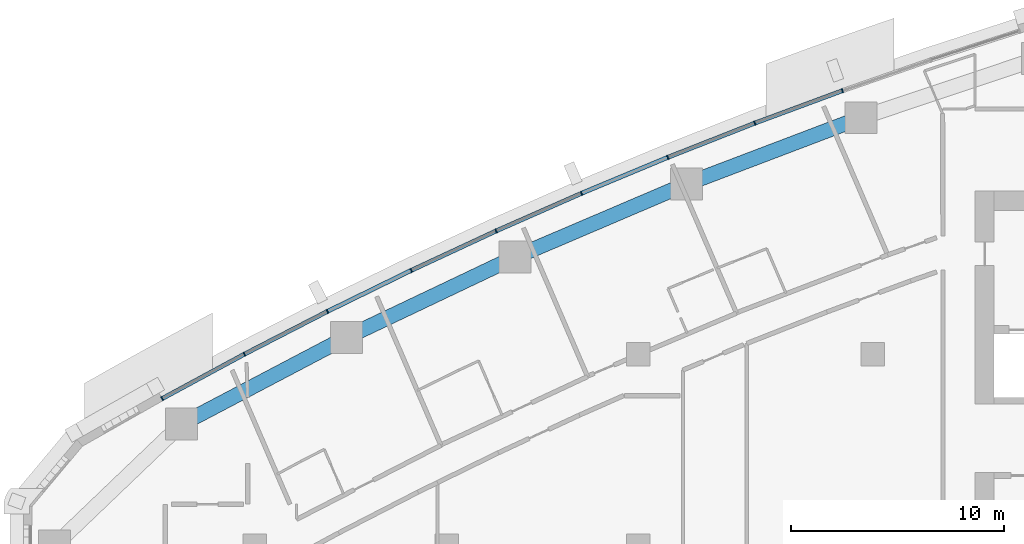
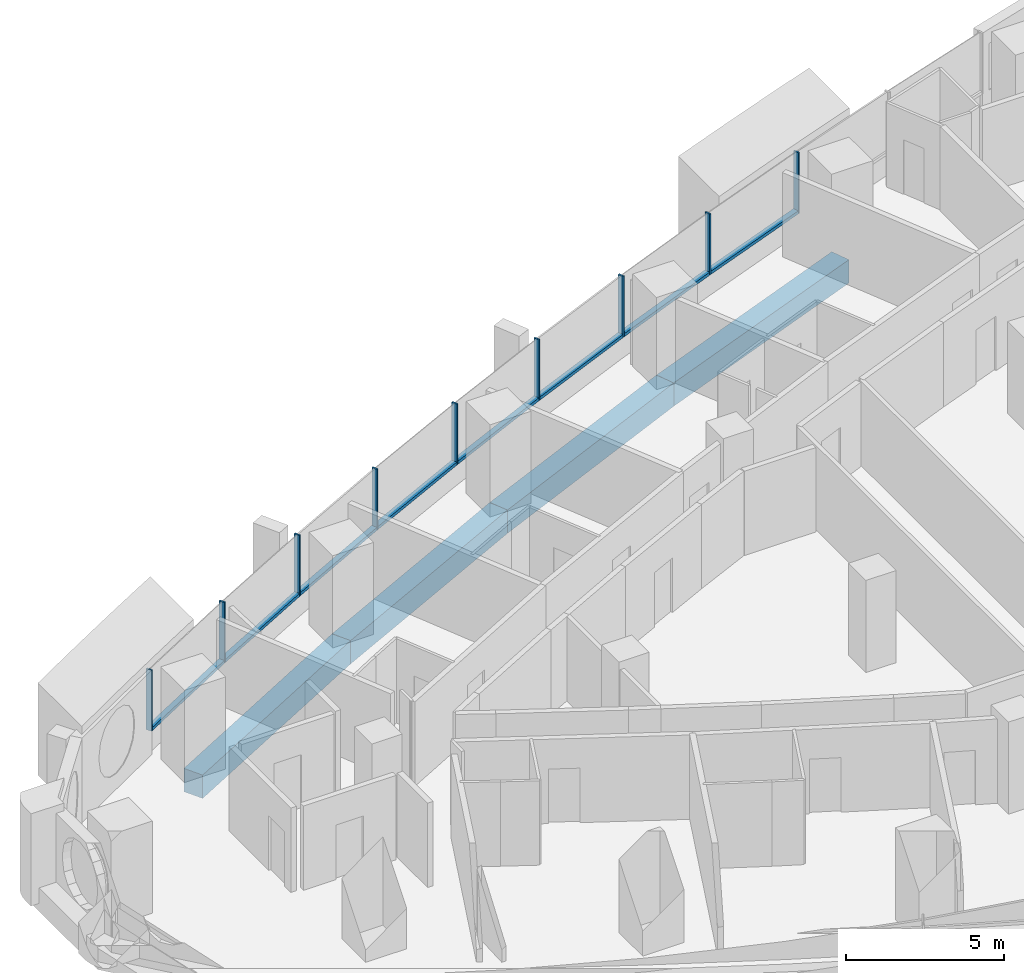
# One storey, part 5 of 17: 17 members, 4 beams, 5 elements without a shape of their own.
"""IFC4 building model written with IfcOpenShell, lengths in metres."""

from ifc_helpers import new_model, si_unit, direction, frame, origin, origin_2d, place, context, subcontext, project, spatial, rectangle, extrude, material, layer, layer_set, material_profile, profile_set, type_object, element, aggregate, save


model = new_model("IFC4")

# Units and contexts
model_context = context("Model", 3, precision=1e-05, world=origin(), true_north=direction((0.0, 1.0)))
body_context = subcontext(model_context, "Body", "Model", "MODEL_VIEW")
ifc_project = project(units=[si_unit("LENGTHUNIT", "METRE"), si_unit("AREAUNIT", "SQUARE_METRE"), si_unit("VOLUMEUNIT", "CUBIC_METRE"), si_unit("PLANEANGLEUNIT", "RADIAN"), si_unit("MASSUNIT", "GRAM", prefix="KILO")], contexts=[model_context])

# Site, building, storey
site_placement = place(None, origin())
site = spatial("IfcSite", under=ifc_project, at=site_placement, CompositionType="ELEMENT")
building_placement = place(site_placement, origin())
building = spatial("IfcBuilding", under=site, at=building_placement, Name="Ostrand Prow Hotel Tower", CompositionType="ELEMENT")
storey_placement = place(building_placement, frame((0.0, 0.0, 158.60009765625)))
storey = spatial("IfcBuildingStorey", under=building, at=storey_placement, Name="L39", CompositionType="ELEMENT", Elevation=158.60009765625)

# Beams
ifc_material_1 = material(Name="Concrete C70/85", Category="concrete")
ifc_material_profile_1 = material_profile(ifc_material_1, rectangle(XDim=0.699951171875, YDim=0.89990234375, at=origin_2d()), Name="RC 700x900")
ifc_profile_set_1 = profile_set([ifc_material_profile_1], Name="Concrete C70/85")
beam_type = type_object("IfcBeamType", Name="Edge beam 700x900 C70/85", PredefinedType="SPANDREL", material=ifc_profile_set_1)
for number, where, z_axis, x_axis, name in (
    (1, (44.438232421875, 20.093017578125, -0.75), (-0.93479358236, -0.355191439055, 0.0), (0.355191439055, -0.93479358236, 0.0), "Edge beam N2-N3"),
    (2, (36.255615234375, 16.98388671875, -0.75), (-0.919700966994, -0.392619575811, 0.0), (0.392619575811, -0.919700966994, 0.0), "Edge beam N3-N4"),
    (3, (28.205078125, 13.547119140625, -0.75), (-0.903083113352, -0.429465819803, 0.0), (0.429465819803, -0.903083113352, 0.0), "Edge beam N4-N5"),
    (4, (20.300048828125, 9.787841796875, -0.75), (-0.885016215308, -0.465560198731, 0.0), (0.465560198731, -0.885016215308, 0.0), "Edge beam N5-N6"),
):
    element("IfcBeam", number, at=place(storey_placement, frame(where, z_axis=z_axis, x_axis=x_axis)), inside=storey, type_object=beam_type, Name=name, PredefinedType="SPANDREL", context=body_context, shape_type="SweptSolid", body=[
        extrude(rectangle(XDim=0.699951171875, YDim=0.89990234375, at=origin_2d()), origin(), (0.0, 0.0, 1.0), 8.75341796875),
    ])

# Curtain wall, member
ifc_material_2 = material(Name="Insulated glass in bronze anodised frame", Category="glass")
ifc_layer = layer(ifc_material_2, 0.199951171875)
ifc_layer_set = layer_set([ifc_layer], Name="Insulated glass in bronze anodised frame")
curtain_wall_type = type_object("IfcCurtainWallType", Name="Strip curtain wall, fritted glass over bronze spandrel", PredefinedType="NOTDEFINED", material=ifc_layer_set)
curtain_wall_1_placement = place(storey_placement, origin())
curtain_wall_1 = element("IfcCurtainWall", 5, at=curtain_wall_1_placement, inside=storey, type_object=curtain_wall_type, Name="CW1 run CWN1", PredefinedType="NOTDEFINED")
ifc_material_3 = material(Name="Bronze anodised aluminium", Category="aluminium")
ifc_material_profile_2 = material_profile(ifc_material_3, rectangle(XDim=0.199951171875, YDim=0.06005859375, at=origin_2d()), Name="Mullion 60x200 bronze anodised aluminium")
ifc_profile_set_2 = profile_set([ifc_material_profile_2], Name="Bronze anodised aluminium")
member_type_1 = type_object("IfcMemberType", Name="Mullion 60x200 bronze anodised aluminium", PredefinedType="MULLION", material=ifc_profile_set_2)
member_1_placement = place(storey_placement, frame((43.5751953125, 21.3642578125, 0.89990234375), z_axis=(0.0, 0.0, 1.0), x_axis=(0.328428177424, -0.944528947293, 0.0)))
member_1 = element("IfcMember", 6, at=member_1_placement, type_object=member_type_1, Name="CW1 mullion 3", PredefinedType="MULLION", context=body_context, shape_type="SweptSolid", body=[
    extrude(rectangle(XDim=0.199951171875, YDim=0.06005859375, at=origin_2d()), origin(), (0.0, 0.0, 1.0), 2.35009765625),
])
aggregate(curtain_wall_1, [member_1])

# Curtain wall, members
curtain_wall_2_placement = place(storey_placement, origin())
curtain_wall_2 = element("IfcCurtainWall", 7, at=curtain_wall_2_placement, inside=storey, type_object=curtain_wall_type, Name="CW1 run CWN2", PredefinedType="NOTDEFINED")
member_2_placement = place(storey_placement, frame((39.462158203125, 19.8408203125, 0.89990234375), z_axis=(0.0, 0.0, 1.0), x_axis=(0.366116334636, -0.930569089059, 0.0)))
member_2 = element("IfcMember", 8, at=member_2_placement, type_object=member_type_1, Name="CW1 mullion 2", PredefinedType="MULLION", context=body_context, shape_type="SweptSolid", body=[
    extrude(rectangle(XDim=0.199951171875, YDim=0.06005859375, at=origin_2d()), origin(), (0.0, 0.0, 1.0), 2.35009765625),
])
member_3_placement = place(storey_placement, frame((35.380615234375, 18.235107421875, 0.89990234375), z_axis=(0.0, 0.0, 1.0), x_axis=(0.366116334636, -0.930569089059, 0.0)))
member_3 = element("IfcMember", 9, at=member_3_placement, type_object=member_type_1, Name="CW1 mullion 3", PredefinedType="MULLION", context=body_context, shape_type="SweptSolid", body=[
    extrude(rectangle(XDim=0.199951171875, YDim=0.06005859375, at=origin_2d()), origin(), (0.0, 0.0, 1.0), 2.35009765625),
])

curtain_wall_3_placement = place(storey_placement, origin())
curtain_wall_3 = element("IfcCurtainWall", 10, at=curtain_wall_3_placement, inside=storey, type_object=curtain_wall_type, Name="CW1 run CWN3", PredefinedType="NOTDEFINED")
member_4_placement = place(storey_placement, frame((31.332275390625, 16.54736328125, 0.89990234375), z_axis=(0.0, 0.0, 1.0), x_axis=(0.403213113347, -0.915106105993, 0.0)))
member_4 = element("IfcMember", 11, at=member_4_placement, type_object=member_type_1, Name="CW1 mullion 2", PredefinedType="MULLION", context=body_context, shape_type="SweptSolid", body=[
    extrude(rectangle(XDim=0.199951171875, YDim=0.06005859375, at=origin_2d()), origin(), (0.0, 0.0, 1.0), 2.35009765625),
])
member_5_placement = place(storey_placement, frame((27.318359375, 14.77880859375, 0.89990234375), z_axis=(0.0, 0.0, 1.0), x_axis=(0.403213113347, -0.915106105993, 0.0)))
member_5 = element("IfcMember", 12, at=member_5_placement, type_object=member_type_1, Name="CW1 mullion 3", PredefinedType="MULLION", context=body_context, shape_type="SweptSolid", body=[
    extrude(rectangle(XDim=0.199951171875, YDim=0.06005859375, at=origin_2d()), origin(), (0.0, 0.0, 1.0), 2.35009765625),
])

curtain_wall_4_placement = place(storey_placement, origin())
curtain_wall_4 = element("IfcCurtainWall", 13, at=curtain_wall_4_placement, inside=storey, type_object=curtain_wall_type, Name="CW1 run CWN4", PredefinedType="NOTDEFINED")
member_6_placement = place(storey_placement, frame((23.341064453125, 12.93017578125, 0.89990234375), z_axis=(0.0, 0.0, 1.0), x_axis=(0.439658592061, -0.898164975061, 0.0)))
member_6 = element("IfcMember", 14, at=member_6_placement, type_object=member_type_1, Name="CW1 mullion 2", PredefinedType="MULLION", context=body_context, shape_type="SweptSolid", body=[
    extrude(rectangle(XDim=0.199951171875, YDim=0.06005859375, at=origin_2d()), origin(), (0.0, 0.0, 1.0), 2.35009765625),
])
member_7_placement = place(storey_placement, frame((19.401611328125, 11.001708984375, 0.89990234375), z_axis=(0.0, 0.0, 1.0), x_axis=(0.439658592061, -0.898164975061, 0.0)))
member_7 = element("IfcMember", 15, at=member_7_placement, type_object=member_type_1, Name="CW1 mullion 3", PredefinedType="MULLION", context=body_context, shape_type="SweptSolid", body=[
    extrude(rectangle(XDim=0.199951171875, YDim=0.06005859375, at=origin_2d()), origin(), (0.0, 0.0, 1.0), 2.35009765625),
])

curtain_wall_5_placement = place(storey_placement, origin())
curtain_wall_5 = element("IfcCurtainWall", 16, at=curtain_wall_5_placement, inside=storey, type_object=curtain_wall_type, Name="CW1 run CWN5", PredefinedType="NOTDEFINED")
member_8_placement = place(storey_placement, frame((15.501708984375, 8.99462890625, 0.89990234375), z_axis=(0.0, 0.0, 1.0), x_axis=(0.475393901316, -0.879773060847, 0.0)))
member_8 = element("IfcMember", 17, at=member_8_placement, type_object=member_type_1, Name="CW1 mullion 2", PredefinedType="MULLION", context=body_context, shape_type="SweptSolid", body=[
    extrude(rectangle(XDim=0.199951171875, YDim=0.06005859375, at=origin_2d()), origin(), (0.0, 0.0, 1.0), 2.35009765625),
])
member_9_placement = place(storey_placement, frame((11.64306640625, 6.909423828125, 0.89990234375), z_axis=(0.0, 0.0, 1.0), x_axis=(0.475393901316, -0.879773060847, 0.0)))
member_9 = element("IfcMember", 18, at=member_9_placement, type_object=member_type_1, Name="CW1 mullion 3", PredefinedType="MULLION", context=body_context, shape_type="SweptSolid", body=[
    extrude(rectangle(XDim=0.199951171875, YDim=0.06005859375, at=origin_2d()), origin(), (0.0, 0.0, 1.0), 2.35009765625),
])

# Member
ifc_material_4 = material(Name="Bronze anodised aluminium", Category="aluminium")
ifc_material_profile_3 = material_profile(ifc_material_4, rectangle(XDim=0.199951171875, YDim=0.1201171875, at=origin_2d()), Name="Transom 120x200 bronze anodised aluminium")
ifc_profile_set_3 = profile_set([ifc_material_profile_3], Name="Bronze anodised aluminium")
member_type_2 = type_object("IfcMemberType", Name="Transom 120x200 bronze anodised aluminium", PredefinedType="USERDEFINED", material=ifc_profile_set_3)
member_10_placement = place(storey_placement, frame((43.547119140625, 21.353759765625, 0.9599609375), z_axis=(-0.937756929379, -0.347292299657, 0.0), x_axis=(0.347292299657, -0.937756929379, 0.0)))
member_10 = element("IfcMember", 19, at=member_10_placement, type_object=member_type_2, Name="CW1 transom 1.1", ObjectType="TRANSOM", PredefinedType="USERDEFINED", context=body_context, shape_type="SweptSolid", body=[
    extrude(rectangle(XDim=0.199951171875, YDim=0.1201171875, at=origin_2d()), origin(), (0.0, 0.0, 1.0), 4.326171875),
])

member_11_placement = place(storey_placement, frame((39.434326171875, 19.829833984375, 0.9599609375), z_axis=(-0.930563430162, -0.366130717701, 0.0), x_axis=(0.366130717701, -0.930563430162, 0.0)))
member_11 = element("IfcMember", 20, at=member_11_placement, type_object=member_type_2, Name="CW1 transom 2.1", ObjectType="TRANSOM", PredefinedType="USERDEFINED", context=body_context, shape_type="SweptSolid", body=[
    extrude(rectangle(XDim=0.199951171875, YDim=0.1201171875, at=origin_2d()), origin(), (0.0, 0.0, 1.0), 4.326171875),
])

aggregate(curtain_wall_2, [member_2, member_3, member_10, member_11])

member_12_placement = place(storey_placement, frame((35.352783203125, 18.223388671875, 0.9599609375), z_axis=(-0.923028493412, -0.384731595206, 0.0), x_axis=(0.384731595206, -0.923028493412, 0.0)))
member_12 = element("IfcMember", 21, at=member_12_placement, type_object=member_type_2, Name="CW1 transom 1.1", ObjectType="TRANSOM", PredefinedType="USERDEFINED", context=body_context, shape_type="SweptSolid", body=[
    extrude(rectangle(XDim=0.199951171875, YDim=0.1201171875, at=origin_2d()), origin(), (0.0, 0.0, 1.0), 4.325927734375),
])

member_13_placement = place(storey_placement, frame((31.3046875, 16.535400390625, 0.9599609375), z_axis=(-0.91509853977, -0.403230284715, 0.0), x_axis=(0.403230284715, -0.91509853977, 0.0)))
member_13 = element("IfcMember", 22, at=member_13_placement, type_object=member_type_2, Name="CW1 transom 2.1", ObjectType="TRANSOM", PredefinedType="USERDEFINED", context=body_context, shape_type="SweptSolid", body=[
    extrude(rectangle(XDim=0.199951171875, YDim=0.1201171875, at=origin_2d()), origin(), (0.0, 0.0, 1.0), 4.325927734375),
])

aggregate(curtain_wall_3, [member_4, member_5, member_12, member_13])

member_14_placement = place(storey_placement, frame((27.291259765625, 14.766357421875, 0.9599609375), z_axis=(-0.906796377468, -0.421568890944, 0.0), x_axis=(0.421568890944, -0.906796377468, 0.0)))
member_14 = element("IfcMember", 23, at=member_14_placement, type_object=member_type_2, Name="CW1 transom 1.1", ObjectType="TRANSOM", PredefinedType="USERDEFINED", context=body_context, shape_type="SweptSolid", body=[
    extrude(rectangle(XDim=0.199951171875, YDim=0.1201171875, at=origin_2d()), origin(), (0.0, 0.0, 1.0), 4.326171875),
])

member_15_placement = place(storey_placement, frame((23.314208984375, 12.9169921875, 0.9599609375), z_axis=(-0.89815413626, -0.439680733623, 0.0), x_axis=(0.439680733623, -0.89815413626, 0.0)))
member_15 = element("IfcMember", 24, at=member_15_placement, type_object=member_type_2, Name="CW1 transom 2.1", ObjectType="TRANSOM", PredefinedType="USERDEFINED", context=body_context, shape_type="SweptSolid", body=[
    extrude(rectangle(XDim=0.199951171875, YDim=0.1201171875, at=origin_2d()), origin(), (0.0, 0.0, 1.0), 4.326171875),
])

aggregate(curtain_wall_4, [member_6, member_7, member_14, member_15])

member_16_placement = place(storey_placement, frame((19.375, 10.988037109375, 0.9599609375), z_axis=(-0.88914020052, -0.457634902318, 0.0), x_axis=(0.457634902318, -0.88914020052, 0.0)))
member_16 = element("IfcMember", 25, at=member_16_placement, type_object=member_type_2, Name="CW1 transom 1.1", ObjectType="TRANSOM", PredefinedType="USERDEFINED", context=body_context, shape_type="SweptSolid", body=[
    extrude(rectangle(XDim=0.199951171875, YDim=0.1201171875, at=origin_2d()), origin(), (0.0, 0.0, 1.0), 4.325927734375),
])

member_17_placement = place(storey_placement, frame((15.475341796875, 8.980224609375, 0.9599609375), z_axis=(-0.879765206929, -0.475408435639, 0.0), x_axis=(0.475408435639, -0.879765206929, 0.0)))
member_17 = element("IfcMember", 26, at=member_17_placement, type_object=member_type_2, Name="CW1 transom 2.1", ObjectType="TRANSOM", PredefinedType="USERDEFINED", context=body_context, shape_type="SweptSolid", body=[
    extrude(rectangle(XDim=0.199951171875, YDim=0.1201171875, at=origin_2d()), origin(), (0.0, 0.0, 1.0), 4.326171875),
])

aggregate(curtain_wall_5, [member_8, member_9, member_16, member_17])

save(model, "model.ifc")
